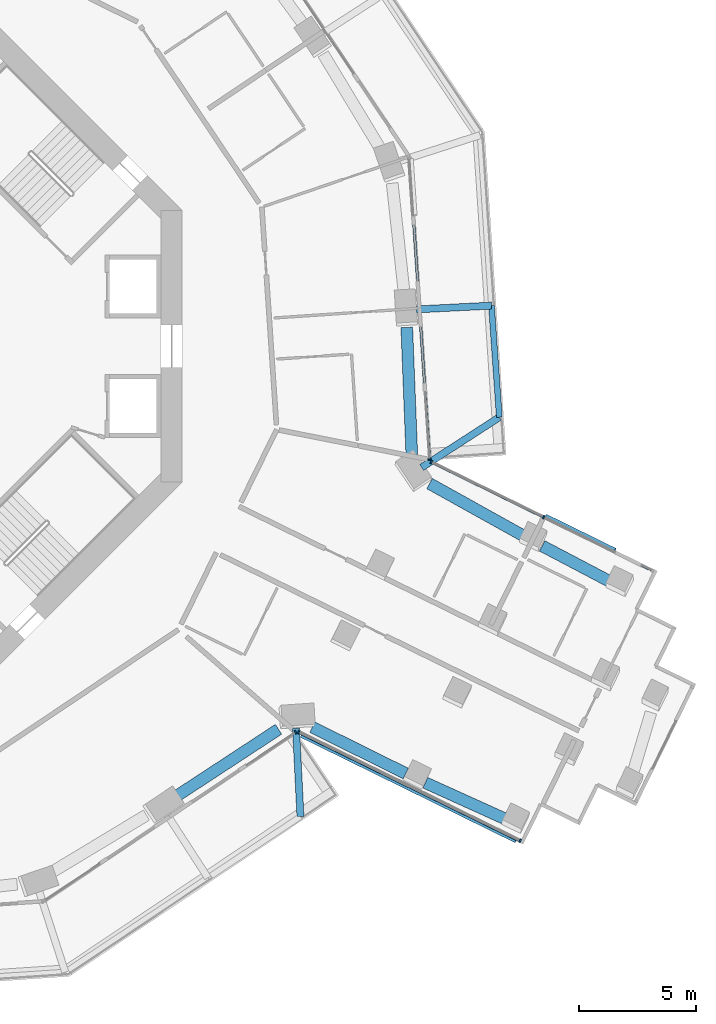
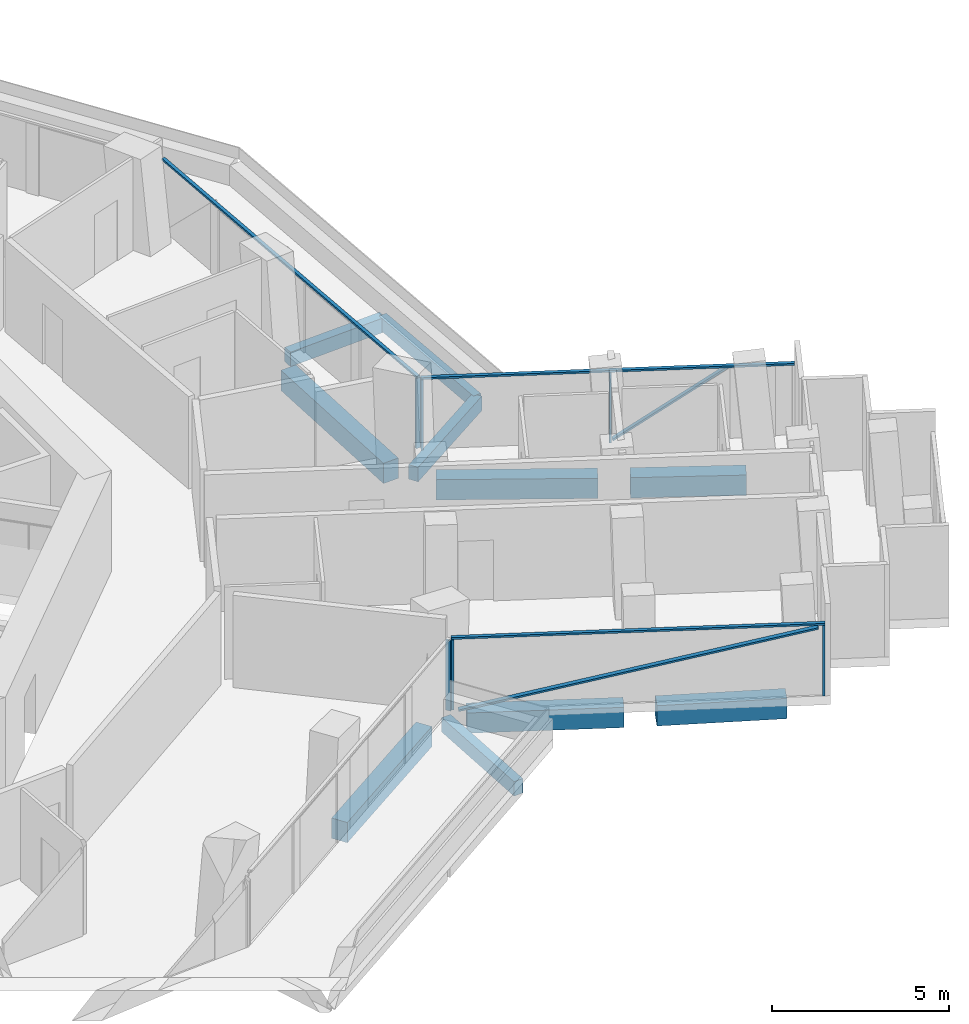
# One storey, part 6 of 25: 11 members, 10 beams, 4 elements without a shape of their own.
"""IFC4 building model written with IfcOpenShell, lengths in metres."""

from ifc_helpers import new_model, si_unit, direction, frame, origin, origin_2d, place, context, subcontext, project, spatial, rectangle, extrude, material, layer, layer_set, material_profile, profile_set, type_object, element, aggregate, save


model = new_model("IFC4")

# Units and contexts
model_context = context("Model", 3, precision=1e-05, world=origin(), true_north=direction((0.0, 1.0)))
body_context = subcontext(model_context, "Body", "Model", "MODEL_VIEW")
ifc_project = project(units=[si_unit("LENGTHUNIT", "METRE"), si_unit("AREAUNIT", "SQUARE_METRE"), si_unit("VOLUMEUNIT", "CUBIC_METRE"), si_unit("PLANEANGLEUNIT", "RADIAN"), si_unit("MASSUNIT", "GRAM", prefix="KILO")], contexts=[model_context])

# Site, building, storey
site_placement = place(None, origin())
site = spatial("IfcSite", under=ifc_project, at=site_placement, CompositionType="ELEMENT")
building_placement = place(site_placement, origin())
building = spatial("IfcBuilding", under=site, at=building_placement, Name="Verdalira Terraces Hotel", CompositionType="ELEMENT")
storey_placement = place(building_placement, frame((0.0, 0.0, 49.5)))
storey = spatial("IfcBuildingStorey", under=building, at=storey_placement, Name="L10", CompositionType="ELEMENT", Elevation=49.5)

# Beams
ifc_material_1 = material(Name="Concrete C40", Category="concrete")
ifc_material_profile_1 = material_profile(ifc_material_1, rectangle(XDim=0.300049, YDim=0.5, at=origin_2d()), Name="RC 300X500")
ifc_profile_set_1 = profile_set([ifc_material_profile_1], Name="Concrete C40")
beam_type_1 = type_object("IfcBeamType", Name="Balcony cantilever beam RC 300X500 C40", PredefinedType="BEAM", material=ifc_profile_set_1)
beam_1_placement = place(storey_placement, frame((18.860107, -16.315186, -0.560059), z_axis=(0.0502574, -0.998736298, 0.0), x_axis=(0.998736298, 0.0502574, 0.0)))
element("IfcBeam", 1, at=beam_1_placement, inside=storey, type_object=beam_type_1, Name="Balcony cantilever beam R26-5", PredefinedType="BEAM", context=body_context, shape_type="SweptSolid", body=[
    extrude(rectangle(XDim=0.300049, YDim=0.5, at=origin_2d()), origin(), (0.0, 0.0, 1.0), 3.769775),
])
beam_2_placement = place(storey_placement, frame((24.222412, -5.179199, -0.560059), z_axis=(0.839784008, 0.542920639, 0.0), x_axis=(-0.542920639, 0.839784008, 0.0)))
element("IfcBeam", 2, at=beam_2_placement, inside=storey, type_object=beam_type_1, Name="Balcony cantilever beam R39-1", PredefinedType="BEAM", context=body_context, shape_type="SweptSolid", body=[
    extrude(rectangle(XDim=0.300049, YDim=0.5, at=origin_2d()), origin(), (0.0, 0.0, 1.0), 3.949951),
])
beam_3_placement = place(storey_placement, frame((24.006836, 1.568604, -0.560059), z_axis=(0.998735927, 0.050264776, 0.0), x_axis=(-0.050264776, 0.998735927, 0.0)))
element("IfcBeam", 3, at=beam_3_placement, inside=storey, type_object=beam_type_1, Name="Balcony cantilever beam R39-2", PredefinedType="BEAM", context=body_context, shape_type="SweptSolid", body=[
    extrude(rectangle(XDim=0.300049, YDim=0.5, at=origin_2d()), origin(), (0.0, 0.0, 1.0), 3.200928),
])
ifc_material_2 = material(Name="Concrete C40", Category="concrete")
ifc_material_profile_2 = material_profile(ifc_material_2, rectangle(XDim=0.25, YDim=0.449951, at=origin_2d()), Name="RC 250X450")
ifc_profile_set_2 = profile_set([ifc_material_profile_2], Name="Concrete C40")
beam_type_2 = type_object("IfcBeamType", Name="Balcony edge beam RC 250X450 C40", PredefinedType="BEAM", material=ifc_profile_set_2)
beam_4_placement = place(storey_placement, frame((27.539551, -3.034668, -0.534912), z_axis=(-0.070338827, 0.997523157, 0.0), x_axis=(-0.997523157, -0.070338827, 0.0)))
element("IfcBeam", 4, at=beam_4_placement, inside=storey, type_object=beam_type_2, Name="Balcony edge beam R39-1", PredefinedType="BEAM", context=body_context, shape_type="SweptSolid", body=[
    extrude(rectangle(XDim=0.25, YDim=0.449951, at=origin_2d()), origin(), (0.0, 0.0, 1.0), 4.775879),
])

# Curtain wall, member
ifc_material_3 = material(Name="Clear glass", Category="glass")
ifc_layer_1 = layer(ifc_material_3, 0.14990234375)
ifc_layer_set_1 = layer_set([ifc_layer_1], Name="CW1 curtain wall")
curtain_wall_type_1 = type_object("IfcCurtainWallType", Name="CW1 curtain wall", PredefinedType="NOTDEFINED", material=ifc_layer_set_1)
curtain_wall_1_placement = place(storey_placement, origin())
curtain_wall_1 = element("IfcCurtainWall", 5, at=curtain_wall_1_placement, inside=storey, type_object=curtain_wall_type_1, Name="CW1 curtain wall L10 edge 27", PredefinedType="NOTDEFINED")
ifc_material_4 = material(Name="Terracotta frame", Category="masonry")
ifc_material_profile_3 = material_profile(ifc_material_4, rectangle(XDim=0.060059, YDim=0.149902, at=origin_2d()), Name="MU 60x150")
ifc_profile_set_3 = profile_set([ifc_material_profile_3], Name="Terracotta frame")
member_type_1 = type_object("IfcMemberType", Name="CW1 mullion 60x150", PredefinedType="MULLION", material=ifc_profile_set_3)
member_1_placement = place(storey_placement, frame((18.841064, -16.483643, 0.0), z_axis=(0.0, 0.0, 1.0), x_axis=(0.830595899, 0.556875616, 0.0)))
member_1 = element("IfcMember", 6, at=member_1_placement, type_object=member_type_1, Name="CW1 mullion", PredefinedType="MULLION", context=body_context, shape_type="SweptSolid", body=[
    extrude(rectangle(XDim=0.060059, YDim=0.149902, at=origin_2d()), origin(), (0.0, 0.0, 1.0), 2.425049),
])
aggregate(curtain_wall_1, [member_1])

# Curtain wall, members
curtain_wall_2_placement = place(storey_placement, origin())
curtain_wall_2 = element("IfcCurtainWall", 7, at=curtain_wall_2_placement, inside=storey, type_object=curtain_wall_type_1, Name="CW1 curtain wall L10 edge 39", PredefinedType="NOTDEFINED")
member_2_placement = place(storey_placement, frame((24.562256, -4.835938, 0.0), z_axis=(0.0, 0.0, 1.0), x_axis=(-0.066970481, 0.997754957, 0.0)))
member_2 = element("IfcMember", 8, at=member_2_placement, type_object=member_type_1, Name="CW1 mullion", PredefinedType="MULLION", context=body_context, shape_type="SweptSolid", body=[
    extrude(rectangle(XDim=0.060059, YDim=0.149902, at=origin_2d()), origin(), (0.0, 0.0, 1.0), 2.425049),
])
ifc_material_5 = material(Name="Terracotta frame", Category="masonry")
ifc_material_profile_4 = material_profile(ifc_material_5, rectangle(XDim=0.110107, YDim=0.064941, at=origin_2d()), Name="TR 65x110")
ifc_profile_set_4 = profile_set([ifc_material_profile_4], Name="Terracotta frame")
member_type_2 = type_object("IfcMemberType", Name="CW1 transom 65x110", PredefinedType="USERDEFINED", material=ifc_profile_set_4)
member_3_placement = place(storey_placement, frame((24.564453, -4.865723, 2.45752), z_axis=(-0.066970374, 0.997754964, 0.0), x_axis=(-0.997754964, -0.066970374, 0.0)))
member_3 = element("IfcMember", 9, at=member_3_placement, type_object=member_type_2, Name="CW1 transom", ObjectType="TRANSOM", PredefinedType="USERDEFINED", context=body_context, shape_type="SweptSolid", body=[
    extrude(rectangle(XDim=0.110107, YDim=0.064941, at=origin_2d()), origin(), (0.0, 0.0, 1.0), 12.959717),
])
aggregate(curtain_wall_2, [member_2, member_3])

ifc_material_6 = material(Name="Clear glass", Category="glass")
ifc_layer_2 = layer(ifc_material_6, 0.14990234375)
ifc_layer_set_2 = layer_set([ifc_layer_2], Name="CW2 curtain wall")
curtain_wall_type_2 = type_object("IfcCurtainWallType", Name="CW2 curtain wall", PredefinedType="NOTDEFINED", material=ifc_layer_set_2)
curtain_wall_3_placement = place(storey_placement, origin())
curtain_wall_3 = element("IfcCurtainWall", 10, at=curtain_wall_3_placement, inside=storey, type_object=curtain_wall_type_2, Name="CW2 curtain wall L10 edge 28", PredefinedType="NOTDEFINED")
ifc_material_7 = material(Name="Terracotta frame", Category="masonry")
ifc_material_profile_5 = material_profile(ifc_material_7, rectangle(XDim=0.070068, YDim=0.149902, at=origin_2d()), Name="MU 70x150")
ifc_profile_set_5 = profile_set([ifc_material_profile_5], Name="Terracotta frame")
member_type_3 = type_object("IfcMemberType", Name="CW2 mullion 70x150", PredefinedType="MULLION", material=ifc_profile_set_5)
member_4_placement = place(storey_placement, frame((18.972168, -16.477295, 0.0), z_axis=(0.0, 0.0, 1.0), x_axis=(0.89756638, -0.440879341, 0.0)))
member_4 = element("IfcMember", 11, at=member_4_placement, type_object=member_type_3, Name="CW2 mullion", PredefinedType="MULLION", context=body_context, shape_type="SweptSolid", body=[
    extrude(rectangle(XDim=0.070068, YDim=0.149902, at=origin_2d()), origin(), (0.0, 0.0, 1.0), 2.425049),
])
member_5_placement = place(storey_placement, frame((28.42334, -21.119629, 0.0), z_axis=(0.0, 0.0, 1.0), x_axis=(0.89756638, -0.440879341, 0.0)))
member_5 = element("IfcMember", 12, at=member_5_placement, type_object=member_type_3, Name="CW2 mullion", PredefinedType="MULLION", context=body_context, shape_type="SweptSolid", body=[
    extrude(rectangle(XDim=0.070068, YDim=0.149902, at=origin_2d()), origin(), (0.0, 0.0, 1.0), 2.425049),
])

curtain_wall_4_placement = place(storey_placement, origin())
curtain_wall_4 = element("IfcCurtainWall", 13, at=curtain_wall_4_placement, inside=storey, type_object=curtain_wall_type_2, Name="CW2 curtain wall L10 edge 38", PredefinedType="NOTDEFINED")
member_6_placement = place(storey_placement, frame((29.43042, -7.297852, 0.0), z_axis=(0.0, 0.0, 1.0), x_axis=(-0.89756638, 0.440879341, 0.0)))
member_6 = element("IfcMember", 14, at=member_6_placement, type_object=member_type_3, Name="CW2 mullion", PredefinedType="MULLION", context=body_context, shape_type="SweptSolid", body=[
    extrude(rectangle(XDim=0.070068, YDim=0.149902, at=origin_2d()), origin(), (0.0, 0.0, 1.0), 2.425049),
])
member_7_placement = place(storey_placement, frame((24.637451, -4.943604, 0.0), z_axis=(0.0, 0.0, 1.0), x_axis=(-0.89756638, 0.440879341, 0.0)))
member_7 = element("IfcMember", 15, at=member_7_placement, type_object=member_type_3, Name="CW2 mullion", PredefinedType="MULLION", context=body_context, shape_type="SweptSolid", body=[
    extrude(rectangle(XDim=0.070068, YDim=0.149902, at=origin_2d()), origin(), (0.0, 0.0, 1.0), 2.425049),
])

# Member
ifc_material_8 = material(Name="Terracotta frame", Category="masonry")
ifc_material_profile_6 = material_profile(ifc_material_8, rectangle(XDim=0.11499, YDim=0.064941, at=origin_2d()), Name="TR 65x115")
ifc_profile_set_6 = profile_set([ifc_material_profile_6], Name="Terracotta frame")
member_type_4 = type_object("IfcMemberType", Name="CW2 transom 65x115", PredefinedType="USERDEFINED", material=ifc_profile_set_6)
member_8_placement = place(storey_placement, frame((18.940918, -16.461914, 2.45752), z_axis=(0.897569517, -0.440872954, 0.0), x_axis=(0.440872954, 0.897569517, 0.0)))
member_8 = element("IfcMember", 16, at=member_8_placement, type_object=member_type_4, Name="CW2 transom", ObjectType="TRANSOM", PredefinedType="USERDEFINED", context=body_context, shape_type="SweptSolid", body=[
    extrude(rectangle(XDim=0.11499, YDim=0.064941, at=origin_2d()), origin(), (0.0, 0.0, 1.0), 10.599609),
])

member_9_placement = place(storey_placement, frame((34.120117, -9.601318, 2.45752), z_axis=(-0.897569517, 0.440872954, 0.0), x_axis=(-0.440872954, -0.897569517, 0.0)))
member_9 = element("IfcMember", 17, at=member_9_placement, type_object=member_type_4, Name="CW2 transom", ObjectType="TRANSOM", PredefinedType="USERDEFINED", context=body_context, shape_type="SweptSolid", body=[
    extrude(rectangle(XDim=0.11499, YDim=0.064941, at=origin_2d()), origin(), (0.0, 0.0, 1.0), 10.599609),
])

ifc_material_9 = material(Name="Terracotta frame", Category="masonry")
ifc_material_profile_7 = material_profile(ifc_material_9, rectangle(XDim=0.149902, YDim=0.060059, at=origin_2d()), Name="GB 60x150")
ifc_profile_set_7 = profile_set([ifc_material_profile_7], Name="Terracotta frame")
member_type_5 = type_object("IfcMemberType", Name="Diagonal glazing bar 60x150", PredefinedType="USERDEFINED", material=ifc_profile_set_7)
member_10_placement = place(storey_placement, frame((19.078369, -16.630859, 0.029785), z_axis=(0.874379171, -0.429486061, 0.22583797), x_axis=(0.44087615, 0.897567948, 0.0)))
member_10 = element("IfcMember", 18, at=member_10_placement, type_object=member_type_5, Name="Diagonal glazing bar", ObjectType="GLAZING BAR", PredefinedType="USERDEFINED", context=body_context, shape_type="SweptSolid", body=[
    extrude(rectangle(XDim=0.149902, YDim=0.060059, at=origin_2d()), origin(), (0.0, 0.0, 1.0), 10.474121),
])

aggregate(curtain_wall_3, [member_4, member_5, member_8, member_10])

member_11_placement = place(storey_placement, frame((32.483154, -8.696045, 2.399414), z_axis=(-0.727545429, 0.357419263, -0.585601502), x_axis=(-0.44093223, -0.897540399, 0.0)))
member_11 = element("IfcMember", 19, at=member_11_placement, type_object=member_type_5, Name="Diagonal glazing bar", ObjectType="GLAZING BAR", PredefinedType="USERDEFINED", context=body_context, shape_type="SweptSolid", body=[
    extrude(rectangle(XDim=0.149902, YDim=0.060059, at=origin_2d()), origin(), (0.0, 0.0, 1.0), 4.053955),
])

aggregate(curtain_wall_4, [member_6, member_7, member_9, member_11])

# Beams
ifc_material_10 = material(Name="Concrete C70", Category="concrete")
ifc_material_profile_8 = material_profile(ifc_material_10, rectangle(XDim=0.5, YDim=0.699951, at=origin_2d()), Name="RC 500X700")
ifc_profile_set_8 = profile_set([ifc_material_profile_8], Name="Concrete C70")
beam_type_3 = type_object("IfcBeamType", Name="Spandrel beam RC 500X700 C70", PredefinedType="SPANDREL", material=ifc_profile_set_8)
beam_5_placement = place(storey_placement, frame((13.672363, -19.264648, -0.659912), z_axis=(0.836387023, 0.54813935, 0.0), x_axis=(-0.54813935, 0.836387023, 0.0)))
element("IfcBeam", 20, at=beam_5_placement, inside=storey, type_object=beam_type_3, Name="Spandrel beam B24", PredefinedType="SPANDREL", context=body_context, shape_type="SweptSolid", body=[
    extrude(rectangle(XDim=0.5, YDim=0.699951, at=origin_2d()), origin(), (0.0, 0.0, 1.0), 5.312256),
])
beam_6_placement = place(storey_placement, frame((19.555176, -16.265625, -0.659912), z_axis=(0.89614275, -0.443765897, 0.0), x_axis=(0.443765897, 0.89614275, 0.0)))
element("IfcBeam", 21, at=beam_6_placement, inside=storey, type_object=beam_type_3, Name="Spandrel beam B25", PredefinedType="SPANDREL", context=body_context, shape_type="SweptSolid", body=[
    extrude(rectangle(XDim=0.5, YDim=0.699951, at=origin_2d()), origin(), (0.0, 0.0, 1.0), 4.451416),
])
beam_7_placement = place(storey_placement, frame((24.37915, -18.63623, -0.659912), z_axis=(0.910928889, -0.4125634, 0.0), x_axis=(0.4125634, 0.910928889, 0.0)))
element("IfcBeam", 22, at=beam_7_placement, inside=storey, type_object=beam_type_3, Name="Spandrel beam B26", PredefinedType="SPANDREL", context=body_context, shape_type="SweptSolid", body=[
    extrude(rectangle(XDim=0.5, YDim=0.699951, at=origin_2d()), origin(), (0.0, 0.0, 1.0), 3.696045),
])
beam_8_placement = place(storey_placement, frame((32.275391, -10.054688, -0.659912), z_axis=(-0.88529691, 0.465026215, 0.0), x_axis=(-0.465026215, -0.88529691, 0.0)))
element("IfcBeam", 23, at=beam_8_placement, inside=storey, type_object=beam_type_3, Name="Spandrel beam B28", PredefinedType="SPANDREL", context=body_context, shape_type="SweptSolid", body=[
    extrude(rectangle(XDim=0.5, YDim=0.699951, at=origin_2d()), origin(), (0.0, 0.0, 1.0), 3.283936),
])
beam_9_placement = place(storey_placement, frame((28.561035, -8.091309, -0.659912), z_axis=(-0.873976105, 0.485968896, 0.0), x_axis=(-0.485968896, -0.873976105, 0.0)))
element("IfcBeam", 24, at=beam_9_placement, inside=storey, type_object=beam_type_3, Name="Spandrel beam B29", PredefinedType="SPANDREL", context=body_context, shape_type="SweptSolid", body=[
    extrude(rectangle(XDim=0.5, YDim=0.699951, at=origin_2d()), origin(), (0.0, 0.0, 1.0), 4.578125),
])
beam_10_placement = place(storey_placement, frame((23.802246, -4.632324, -0.659912), z_axis=(-0.039501939, 0.999219494, 0.0), x_axis=(-0.999219494, -0.039501939, 0.0)))
element("IfcBeam", 25, at=beam_10_placement, inside=storey, type_object=beam_type_3, Name="Spandrel beam B30", PredefinedType="SPANDREL", context=body_context, shape_type="SweptSolid", body=[
    extrude(rectangle(XDim=0.5, YDim=0.699951, at=origin_2d()), origin(), (0.0, 0.0, 1.0), 5.438721),
])

save(model, "model.ifc")
